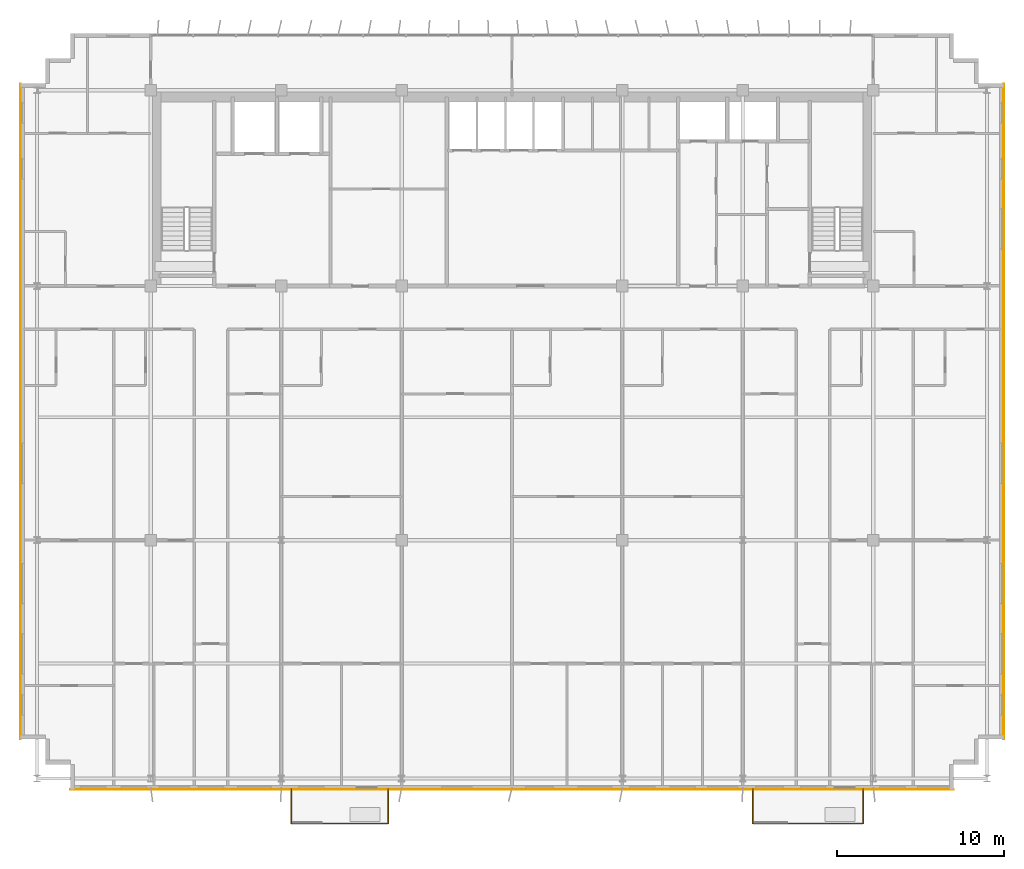
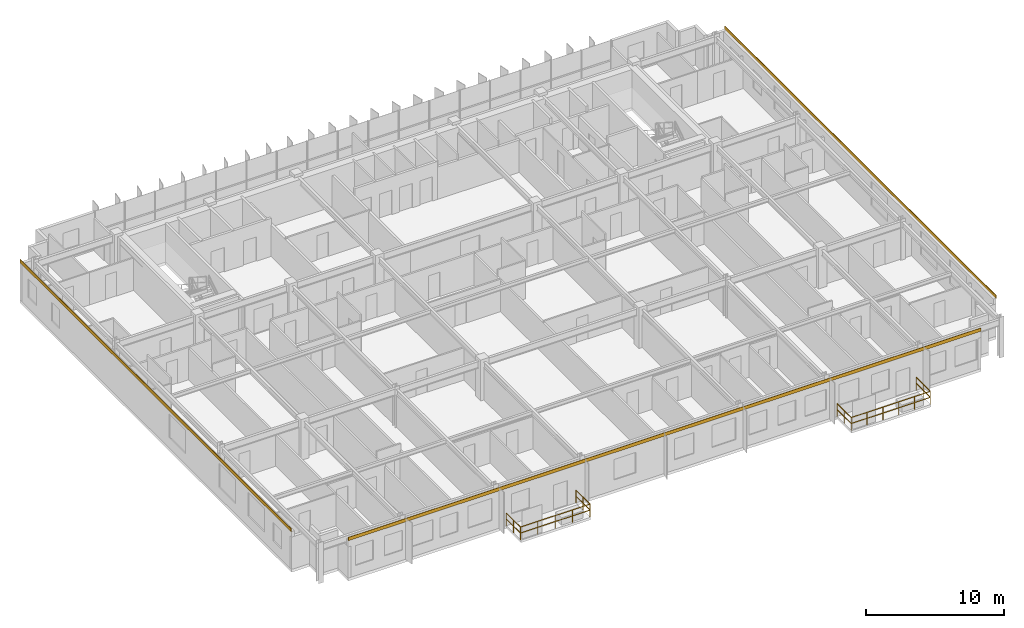
# One storey, part 20 of 21: 6 railings, 3 coverings.
"""IFC4 building model written with IfcOpenShell, lengths in metres."""

from ifc_helpers import new_model, si_unit, direction, frame, origin, origin_2d, place, context, subcontext, project, spatial, rectangle, extrude, source, transform, mapped, material, layer, layer_set, type_object, element, save


model = new_model("IFC4")

# Units and contexts
model_context = context("Model", 3, precision=1e-05, world=origin(), true_north=direction((0.0, 1.0)))
body_context = subcontext(model_context, "Body", "Model", "MODEL_VIEW")
ifc_project = project(units=[si_unit("LENGTHUNIT", "METRE"), si_unit("AREAUNIT", "SQUARE_METRE"), si_unit("VOLUMEUNIT", "CUBIC_METRE"), si_unit("PLANEANGLEUNIT", "RADIAN"), si_unit("MASSUNIT", "GRAM", prefix="KILO")], contexts=[model_context])

# Site, building, storey
site_placement = place(None, origin())
site = spatial("IfcSite", under=ifc_project, at=site_placement, CompositionType="ELEMENT")
building_placement = place(site_placement, origin())
building = spatial("IfcBuilding", under=site, at=building_placement, Name="Trelvane Seafront Commons", CompositionType="ELEMENT")
storey_placement = place(building_placement, frame((0.0, 0.0, 135.699951171875)))
storey = spatial("IfcBuildingStorey", under=building, at=storey_placement, Name="L35", CompositionType="ELEMENT", Elevation=135.699951171875)

# Railings
ifc_material_1 = material(Name="Stainless steel balustrade", Category="steel")
railing_type = type_object("IfcRailingType", Name="ARCH-RAIL-BAL1150", PredefinedType="BALUSTRADE", material=ifc_material_1)
railing_1_placement = place(storey_placement, frame((24.0, 3.300048828125, 0.0)))
element("IfcRailing", 1, at=railing_1_placement, inside=storey, type_object=railing_type, Name="RL-L35-BAL0-01", PredefinedType="BALUSTRADE", context=body_context, shape_type="SweptSolid", body=[
    extrude(rectangle(XDim=0.048095703125, YDim=0.048095703125, at=origin_2d()), frame((0.0, 0.0, 1.1259765625), z_axis=(0.0, -1.0, 0.0), x_axis=(1.0, 0.0, 0.0)), (0.0, 0.0, 1.0), 2.0400390625),
    extrude(rectangle(XDim=0.048095703125, YDim=0.048095703125, at=origin_2d()), frame((0.0, 0.0, 0.597900390625), z_axis=(0.0, -1.0, 0.0), x_axis=(1.0, 0.0, 0.0)), (0.0, 0.0, 1.0), 2.0400390625),
    extrude(rectangle(XDim=0.0419921875, YDim=0.0419921875, at=origin_2d()), origin(), (0.0, 0.0, 1.0), 1.1259765625),
    extrude(rectangle(XDim=0.0419921875, YDim=0.0419921875, at=origin_2d()), frame((0.0, -1.02001953125, 0.0)), (0.0, 0.0, 1.0), 1.1259765625),
    extrude(rectangle(XDim=0.0419921875, YDim=0.0419921875, at=origin_2d()), frame((0.0, -2.0400390625, 0.0)), (0.0, 0.0, 1.0), 1.1259765625),
])
railing_2_placement = place(storey_placement, frame((24.0, 1.260009765625, 0.0)))
element("IfcRailing", 2, at=railing_2_placement, inside=storey, type_object=railing_type, Name="RL-L35-BAL0-02", PredefinedType="BALUSTRADE", context=body_context, shape_type="SweptSolid", body=[
    extrude(rectangle(XDim=0.048095703125, YDim=0.048095703125, at=origin_2d()), frame((0.0, 0.0, 1.1259765625), z_axis=(1.0, 0.0, 0.0), x_axis=(0.0, 1.0, 0.0)), (0.0, 0.0, 1.0), 5.800048828125),
    extrude(rectangle(XDim=0.048095703125, YDim=0.048095703125, at=origin_2d()), frame((0.0, 0.0, 0.597900390625), z_axis=(1.0, 0.0, 0.0), x_axis=(0.0, 1.0, 0.0)), (0.0, 0.0, 1.0), 5.800048828125),
    extrude(rectangle(XDim=0.0419921875, YDim=0.0419921875, at=origin_2d()), origin(), (0.0, 0.0, 1.0), 1.1259765625),
    extrude(rectangle(XDim=0.0419921875, YDim=0.0419921875, at=origin_2d()), frame((1.449951171875, 0.0, 0.0)), (0.0, 0.0, 1.0), 1.1259765625),
    extrude(rectangle(XDim=0.0419921875, YDim=0.0419921875, at=origin_2d()), frame((2.89990234375, 0.0, 0.0)), (0.0, 0.0, 1.0), 1.1259765625),
    extrude(rectangle(XDim=0.0419921875, YDim=0.0419921875, at=origin_2d()), frame((4.35009765625, 0.0, 0.0)), (0.0, 0.0, 1.0), 1.1259765625),
    extrude(rectangle(XDim=0.0419921875, YDim=0.0419921875, at=origin_2d()), frame((5.800048828125, 0.0, 0.0)), (0.0, 0.0, 1.0), 1.1259765625),
])
railing_3_placement = place(storey_placement, frame((29.800048828125, 1.260009765625, 0.0)))
element("IfcRailing", 3, at=railing_3_placement, inside=storey, type_object=railing_type, Name="RL-L35-BAL0-03", PredefinedType="BALUSTRADE", context=body_context, shape_type="SweptSolid", body=[
    extrude(rectangle(XDim=0.048095703125, YDim=0.048095703125, at=origin_2d()), frame((0.0, 0.0, 1.1259765625), z_axis=(0.0, 1.0, 0.0), x_axis=(-1.0, 0.0, 0.0)), (0.0, 0.0, 1.0), 2.0400390625),
    extrude(rectangle(XDim=0.048095703125, YDim=0.048095703125, at=origin_2d()), frame((0.0, 0.0, 0.597900390625), z_axis=(0.0, 1.0, 0.0), x_axis=(-1.0, 0.0, 0.0)), (0.0, 0.0, 1.0), 2.0400390625),
    extrude(rectangle(XDim=0.0419921875, YDim=0.0419921875, at=origin_2d()), origin(), (0.0, 0.0, 1.0), 1.1259765625),
    extrude(rectangle(XDim=0.0419921875, YDim=0.0419921875, at=origin_2d()), frame((0.0, 1.02001953125, 0.0)), (0.0, 0.0, 1.0), 1.1259765625),
    extrude(rectangle(XDim=0.0419921875, YDim=0.0419921875, at=origin_2d()), frame((0.0, 2.0400390625, 0.0)), (0.0, 0.0, 1.0), 1.1259765625),
])
railing_4_placement = place(storey_placement, frame((51.60009765625, 3.300048828125, 0.0)))
element("IfcRailing", 4, at=railing_4_placement, inside=storey, type_object=railing_type, Name="RL-L35-BAL1-01", PredefinedType="BALUSTRADE", context=body_context, shape_type="SweptSolid", body=[
    extrude(rectangle(XDim=0.048095703125, YDim=0.048095703125, at=origin_2d()), frame((0.0, 0.0, 1.1259765625), z_axis=(0.0, -1.0, 0.0), x_axis=(1.0, 0.0, 0.0)), (0.0, 0.0, 1.0), 2.0400390625),
    extrude(rectangle(XDim=0.048095703125, YDim=0.048095703125, at=origin_2d()), frame((0.0, 0.0, 0.597900390625), z_axis=(0.0, -1.0, 0.0), x_axis=(1.0, 0.0, 0.0)), (0.0, 0.0, 1.0), 2.0400390625),
    extrude(rectangle(XDim=0.0419921875, YDim=0.0419921875, at=origin_2d()), origin(), (0.0, 0.0, 1.0), 1.1259765625),
    extrude(rectangle(XDim=0.0419921875, YDim=0.0419921875, at=origin_2d()), frame((0.0, -1.02001953125, 0.0)), (0.0, 0.0, 1.0), 1.1259765625),
    extrude(rectangle(XDim=0.0419921875, YDim=0.0419921875, at=origin_2d()), frame((0.0, -2.0400390625, 0.0)), (0.0, 0.0, 1.0), 1.1259765625),
])
railing_5_placement = place(storey_placement, frame((51.60009765625, 1.260009765625, 0.0)))
element("IfcRailing", 5, at=railing_5_placement, inside=storey, type_object=railing_type, Name="RL-L35-BAL1-02", PredefinedType="BALUSTRADE", context=body_context, shape_type="SweptSolid", body=[
    extrude(rectangle(XDim=0.048095703125, YDim=0.048095703125, at=origin_2d()), frame((0.0, 0.0, 1.1259765625), z_axis=(1.0, 0.0, 0.0), x_axis=(0.0, 1.0, 0.0)), (0.0, 0.0, 1.0), 6.599853515625),
    extrude(rectangle(XDim=0.048095703125, YDim=0.048095703125, at=origin_2d()), frame((0.0, 0.0, 0.597900390625), z_axis=(1.0, 0.0, 0.0), x_axis=(0.0, 1.0, 0.0)), (0.0, 0.0, 1.0), 6.599853515625),
    extrude(rectangle(XDim=0.0419921875, YDim=0.0419921875, at=origin_2d()), origin(), (0.0, 0.0, 1.0), 1.1259765625),
    extrude(rectangle(XDim=0.0419921875, YDim=0.0419921875, at=origin_2d()), frame((1.320068359375, 0.0, 0.0)), (0.0, 0.0, 1.0), 1.1259765625),
    extrude(rectangle(XDim=0.0419921875, YDim=0.0419921875, at=origin_2d()), frame((2.639892578125, 0.0, 0.0)), (0.0, 0.0, 1.0), 1.1259765625),
    extrude(rectangle(XDim=0.0419921875, YDim=0.0419921875, at=origin_2d()), frame((3.9599609375, 0.0, 0.0)), (0.0, 0.0, 1.0), 1.1259765625),
    extrude(rectangle(XDim=0.0419921875, YDim=0.0419921875, at=origin_2d()), frame((5.27978515625, 0.0, 0.0)), (0.0, 0.0, 1.0), 1.1259765625),
    extrude(rectangle(XDim=0.0419921875, YDim=0.0419921875, at=origin_2d()), frame((6.599853515625, 0.0, 0.0)), (0.0, 0.0, 1.0), 1.1259765625),
])
railing_6_placement = place(storey_placement, frame((58.199951171875, 1.260009765625, 0.0)))
element("IfcRailing", 6, at=railing_6_placement, inside=storey, type_object=railing_type, Name="RL-L35-BAL1-03", PredefinedType="BALUSTRADE", context=body_context, shape_type="SweptSolid", body=[
    extrude(rectangle(XDim=0.048095703125, YDim=0.048095703125, at=origin_2d()), frame((0.0, 0.0, 1.1259765625), z_axis=(0.0, 1.0, 0.0), x_axis=(-1.0, 0.0, 0.0)), (0.0, 0.0, 1.0), 2.0400390625),
    extrude(rectangle(XDim=0.048095703125, YDim=0.048095703125, at=origin_2d()), frame((0.0, 0.0, 0.597900390625), z_axis=(0.0, 1.0, 0.0), x_axis=(-1.0, 0.0, 0.0)), (0.0, 0.0, 1.0), 2.0400390625),
    extrude(rectangle(XDim=0.0419921875, YDim=0.0419921875, at=origin_2d()), origin(), (0.0, 0.0, 1.0), 1.1259765625),
    extrude(rectangle(XDim=0.0419921875, YDim=0.0419921875, at=origin_2d()), frame((0.0, 1.02001953125, 0.0)), (0.0, 0.0, 1.0), 1.1259765625),
    extrude(rectangle(XDim=0.0419921875, YDim=0.0419921875, at=origin_2d()), frame((0.0, 2.0400390625, 0.0)), (0.0, 0.0, 1.0), 1.1259765625),
])

# Coverings
ifc_material_2 = material(Name="Anodised pale-silver aluminium", Category="aluminium")
ifc_layer = layer(ifc_material_2, 0.034912109375, Name="ARCH-COV-CLAD35")
ifc_layer_set = layer_set([ifc_layer], Name="Anodised pale-silver aluminium")
covering_type = type_object("IfcCoveringType", Name="ARCH-COV-CLAD35", PredefinedType="CLADDING", material=ifc_layer_set)
shared_shape_1 = source(origin(), body_context, "Body", "SweptSolid", [
    extrude(rectangle(XDim=39.199951171875, YDim=0.034912109375, at=origin_2d()), origin(), (0.0, 0.0, 1.0), 0.2900390625),
])
for number, where, z_axis, x_axis, name in (
    (7, (7.800048828125, 25.89990234375, 3.31005859375), (0.0, 0.0, 1.0), (0.0, 1.0, 0.0), "CLD-L35-00146"),
    (8, (66.60009765625, 25.89990234375, 3.31005859375), (0.0, 0.0, 1.0), (0.0, -1.0, 0.0), "CLD-L35-00147"),
):
    element("IfcCovering", number, at=place(storey_placement, frame(where, z_axis=z_axis, x_axis=x_axis)), inside=storey, type_object=covering_type, Name=name, PredefinedType="CLADDING", context=body_context, shape_type="MappedRepresentation", body=[
        mapped(shared_shape_1, transform((0.0, 0.0, 0.0), x_axis=(1.0, 0.0, 0.0), y_axis=(0.0, 1.0, 0.0), z_axis=(0.0, 0.0, 1.0), scale=1.0)),
    ])
shared_shape_2 = source(origin(), body_context, "Body", "SweptSolid", [
    extrude(rectangle(XDim=52.800048828125, YDim=0.034912109375, at=origin_2d()), origin(), (0.0, 0.0, 1.0), 0.2900390625),
])
covering_placement = place(storey_placement, frame((37.199951171875, 3.300048828125, 3.31005859375), z_axis=(0.0, 0.0, 1.0), x_axis=(-1.0, 0.0, 0.0)))
element("IfcCovering", 9, at=covering_placement, inside=storey, type_object=covering_type, Name="CLD-L35-00148", PredefinedType="CLADDING", context=body_context, shape_type="MappedRepresentation", body=[
    mapped(shared_shape_2, transform((0.0, 0.0, 0.0), x_axis=(1.0, 0.0, 0.0), y_axis=(0.0, 1.0, 0.0), z_axis=(0.0, 0.0, 1.0), scale=1.0)),
])

save(model, "model.ifc")
